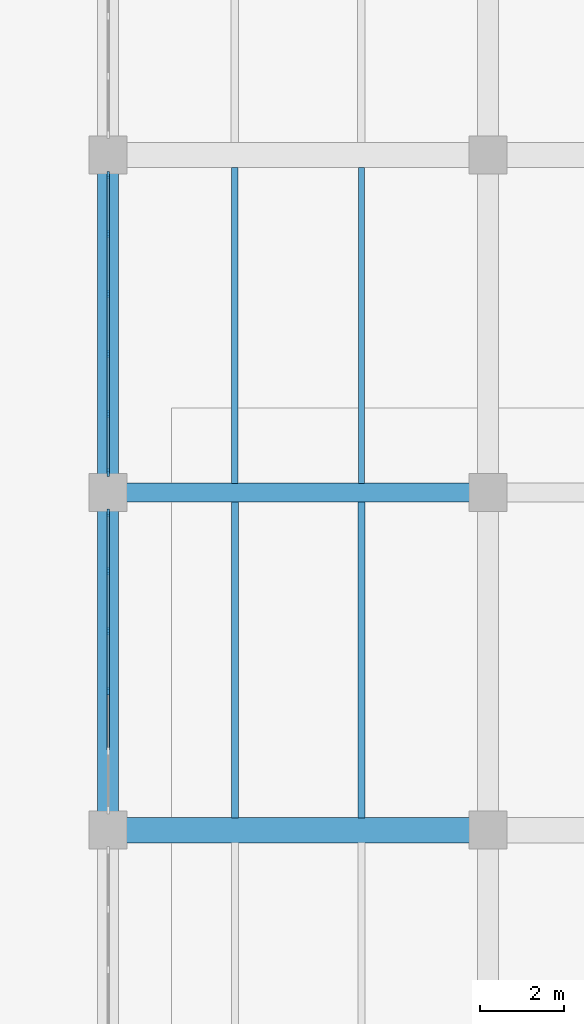
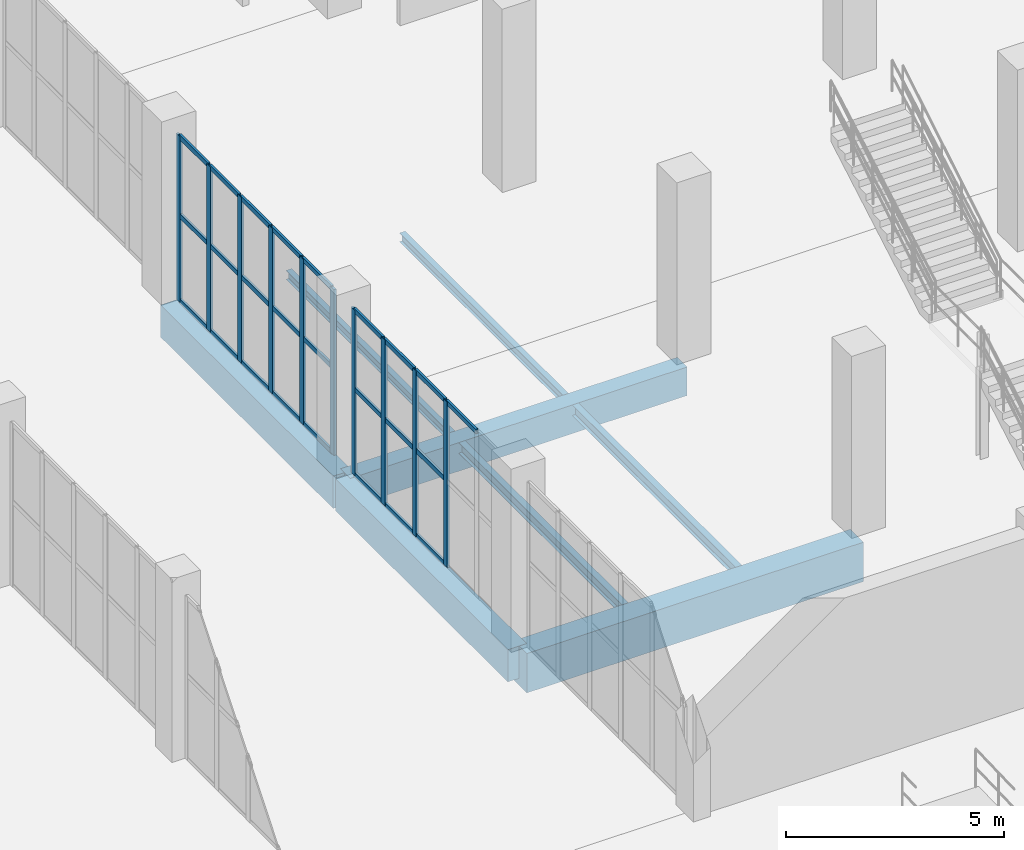
# One storey, part 32 of 103: 35 members, 8 beams, 2 elements without a shape of their own.
"""IFC4 building model written with IfcOpenShell, lengths in metres."""

from ifc_helpers import new_model, si_unit, direction, frame, origin, origin_2d, place, context, subcontext, project, spatial, rectangle, i_section, extrude, material, layer, layer_set, material_profile, profile_set, type_object, element, aggregate, save


model = new_model("IFC4")

# Units and contexts
model_context = context("Model", 3, precision=1e-05, world=origin(), true_north=direction((0.0, 1.0)))
body_context = subcontext(model_context, "Body", "Model", "MODEL_VIEW")
ifc_project = project(units=[si_unit("LENGTHUNIT", "METRE"), si_unit("AREAUNIT", "SQUARE_METRE"), si_unit("VOLUMEUNIT", "CUBIC_METRE"), si_unit("PLANEANGLEUNIT", "RADIAN"), si_unit("MASSUNIT", "GRAM", prefix="KILO")], contexts=[model_context])

# Site, building, storey
site_placement = place(None, origin())
site = spatial("IfcSite", under=ifc_project, at=site_placement, CompositionType="ELEMENT")
building_placement = place(site_placement, origin())
building = spatial("IfcBuilding", under=site, at=building_placement, Name="Marnock Terrace Opera House", CompositionType="ELEMENT")
storey_placement = place(building_placement, origin())
storey = spatial("IfcBuildingStorey", under=building, at=storey_placement, Name="L00", CompositionType="ELEMENT", Elevation=0.0)

# Beams
ifc_material_1 = material(Name="Concrete N40 (f'c = 40 MPa)", Category="concrete")
ifc_material_profile_1 = material_profile(ifc_material_1, rectangle(XDim=0.449951171875, YDim=0.800048828125, at=origin_2d()))
ifc_profile_set_1 = profile_set([ifc_material_profile_1], Name="Concrete N40 (f'c = 40 MPa)")
beam_type_1 = type_object("IfcBeamType", Name="BM-B1-RC450", PredefinedType="BEAM", material=ifc_profile_set_1)
beam_1_placement = place(storey_placement, frame((55.050048828125, 24.0, -0.699951171875), z_axis=(1.0, 0.0, 0.0), x_axis=(0.0, 1.0, 0.0)))
element("IfcBeam", 1, at=beam_1_placement, inside=storey, type_object=beam_type_1, Name="L00 girder (55.0..64.0, Y=24.0)", PredefinedType="BEAM", context=body_context, shape_type="SweptSolid", body=[
    extrude(rectangle(XDim=0.449951171875, YDim=0.800048828125, at=origin_2d()), origin(), (0.0, 0.0, 1.0), 8.89990234375),
])
ifc_material_profile_2 = material_profile(ifc_material_1, rectangle(XDim=0.5, YDim=0.89990234375, at=origin_2d()))
ifc_profile_set_2 = profile_set([ifc_material_profile_2], Name="Concrete N40 (f'c = 40 MPa)")
beam_type_2 = type_object("IfcBeamType", Name="BM-B1-RC500", PredefinedType="BEAM", material=ifc_profile_set_2)
for number, where, z_axis, x_axis, name in (
    (2, (55.0, 16.050048828125, -0.75), (0.0, 1.0, 0.0), (-1.0, 0.0, 0.0), "L00 girder (X=55.0, 16.0..24.0)"),
    (3, (55.0, 24.050048828125, -0.75), (0.0, 1.0, 0.0), (-1.0, 0.0, 0.0), "L00 girder (X=55.0, 24.0..32.0)"),
):
    element("IfcBeam", number, at=place(storey_placement, frame(where, z_axis=z_axis, x_axis=x_axis)), inside=storey, type_object=beam_type_2, Name=name, PredefinedType="BEAM", context=body_context, shape_type="SweptSolid", body=[
        extrude(rectangle(XDim=0.5, YDim=0.89990234375, at=origin_2d()), origin(), (0.0, 0.0, 1.0), 7.89990234375),
    ])
ifc_material_profile_3 = material_profile(ifc_material_1, rectangle(XDim=0.60009765625, YDim=1.10009765625, at=origin_2d()))
ifc_profile_set_3 = profile_set([ifc_material_profile_3], Name="Concrete N40 (f'c = 40 MPa)")
beam_type_3 = type_object("IfcBeamType", Name="BM-B1-RC600", PredefinedType="BEAM", material=ifc_profile_set_3)
beam_2_placement = place(storey_placement, frame((55.050048828125, 16.0, -0.85009765625), z_axis=(1.0, 0.0, 0.0), x_axis=(0.0, 1.0, 0.0)))
element("IfcBeam", 4, at=beam_2_placement, inside=storey, type_object=beam_type_3, Name="L00 girder (55.0..64.0, Y=16.0)", PredefinedType="BEAM", context=body_context, shape_type="SweptSolid", body=[
    extrude(rectangle(XDim=0.60009765625, YDim=1.10009765625, at=origin_2d()), origin(), (0.0, 0.0, 1.0), 8.89990234375),
])
ifc_material_2 = material(Name="Steel Grade 350 (AS/NZS 3679.1)", Category="steel")
ifc_material_profile_4 = material_profile(ifc_material_2, i_section(OverallWidth=0.14599609375, OverallDepth=0.256103515625, WebThickness=0.00634765625, FlangeThickness=0.010986328125, FilletRadius=0.0087890625, at=origin_2d()))
ifc_profile_set_4 = profile_set([ifc_material_profile_4], Name="Steel Grade 350 (AS/NZS 3679.1)")
beam_type_4 = type_object("IfcBeamType", Name="BM-JOIST-250", PredefinedType="JOIST", material=ifc_profile_set_4)
for number, where, z_axis, x_axis, name in (
    (5, (58.0, 24.219970703125, -0.427978515625), (0.0, 1.0, 0.0), (-1.0, 0.0, 0.0), "L00 secondary joist 6.3.1"),
    (6, (61.0, 24.219970703125, -0.427978515625), (0.0, 1.0, 0.0), (-1.0, 0.0, 0.0), "L00 secondary joist 6.3.2"),
):
    element("IfcBeam", number, at=place(storey_placement, frame(where, z_axis=z_axis, x_axis=x_axis)), inside=storey, type_object=beam_type_4, Name=name, PredefinedType="JOIST", context=body_context, shape_type="SweptSolid", body=[
        extrude(i_section(OverallWidth=0.14599609375, OverallDepth=0.256103515625, WebThickness=0.00634765625, FlangeThickness=0.010986328125, FilletRadius=0.0087890625, at=origin_2d()), origin(), (0.0, 0.0, 1.0), 7.485107421875),
    ])
ifc_material_profile_5 = material_profile(ifc_material_2, i_section(OverallWidth=0.1650390625, OverallDepth=0.3037109375, WebThickness=0.006103515625, FlangeThickness=0.01025390625, FilletRadius=0.011474609375, at=origin_2d()))
ifc_profile_set_5 = profile_set([ifc_material_profile_5], Name="Steel Grade 350 (AS/NZS 3679.1)")
beam_type_5 = type_object("IfcBeamType", Name="BM-JOIST-310B", PredefinedType="JOIST", material=ifc_profile_set_5)
for number, where, z_axis, x_axis, name in (
    (7, (58.0, 16.294921875, -0.451904296875), (0.0, 1.0, 0.0), (-1.0, 0.0, 0.0), "L00 secondary joist 6.2.1"),
    (8, (61.0, 16.294921875, -0.451904296875), (0.0, 1.0, 0.0), (-1.0, 0.0, 0.0), "L00 secondary joist 6.2.2"),
):
    element("IfcBeam", number, at=place(storey_placement, frame(where, z_axis=z_axis, x_axis=x_axis)), inside=storey, type_object=beam_type_5, Name=name, PredefinedType="JOIST", context=body_context, shape_type="SweptSolid", body=[
        extrude(i_section(OverallWidth=0.1650390625, OverallDepth=0.3037109375, WebThickness=0.006103515625, FlangeThickness=0.01025390625, FilletRadius=0.011474609375, at=origin_2d()), origin(), (0.0, 0.0, 1.0), 7.485107421875),
    ])

# Curtain wall, members
ifc_material_3 = material(Name="Anodised architectural bronze aluminium framing", Category="aluminium")
ifc_layer = layer(ifc_material_3, 0.159912109375)
ifc_layer_set = layer_set([ifc_layer], Name="Anodised architectural bronze aluminium framing")
curtain_wall_type = type_object("IfcCurtainWallType", Name="CW-FOYER-80x51", PredefinedType="NOTDEFINED", material=ifc_layer_set)
curtain_wall_1_placement = place(storey_placement, origin())
curtain_wall_1 = element("IfcCurtainWall", 9, at=curtain_wall_1_placement, inside=storey, type_object=curtain_wall_type, Name="L00 glazed Beaux-Arts colonnade curtain wall CW-V1W-L00-02", PredefinedType="NOTDEFINED")
ifc_material_profile_6 = material_profile(ifc_material_3, rectangle(XDim=0.06494140625, YDim=0.179931640625, at=origin_2d()))
ifc_profile_set_6 = profile_set([ifc_material_profile_6], Name="Anodised architectural bronze aluminium framing")
member_type_1 = type_object("IfcMemberType", Name="CWM-65x180", PredefinedType="MULLION", material=ifc_profile_set_6)
member_1_placement = place(storey_placement, frame((55.0, 19.289306640625, 0.0), z_axis=(0.0, 0.0, 1.0), x_axis=(-1.0, 0.0, 0.0)))
member_1 = element("IfcMember", 10, at=member_1_placement, type_object=member_type_1, Name="CW-73 mullion 3", PredefinedType="MULLION", context=body_context, shape_type="SweptSolid", body=[
    extrude(rectangle(XDim=0.06494140625, YDim=0.179931640625, at=origin_2d()), origin(), (0.0, 0.0, 1.0), 4.632568359375),
])
member_2_placement = place(storey_placement, frame((55.0, 20.710693359375, 0.0), z_axis=(0.0, 0.0, 1.0), x_axis=(-1.0, 0.0, 0.0)))
member_2 = element("IfcMember", 11, at=member_2_placement, type_object=member_type_1, Name="CW-73 mullion 4", PredefinedType="MULLION", context=body_context, shape_type="SweptSolid", body=[
    extrude(rectangle(XDim=0.06494140625, YDim=0.179931640625, at=origin_2d()), origin(), (0.0, 0.0, 1.0), 4.632568359375),
])
member_3_placement = place(storey_placement, frame((55.0, 22.13232421875, 0.0), z_axis=(0.0, 0.0, 1.0), x_axis=(-1.0, 0.0, 0.0)))
member_3 = element("IfcMember", 12, at=member_3_placement, type_object=member_type_1, Name="CW-73 mullion 5", PredefinedType="MULLION", context=body_context, shape_type="SweptSolid", body=[
    extrude(rectangle(XDim=0.06494140625, YDim=0.179931640625, at=origin_2d()), origin(), (0.0, 0.0, 1.0), 4.632568359375),
])
member_4_placement = place(storey_placement, frame((55.0, 23.52392578125, 0.0), z_axis=(0.0, 0.0, 1.0), x_axis=(-1.0, 0.0, 0.0)))
member_4 = element("IfcMember", 13, at=member_4_placement, type_object=member_type_1, Name="CW-73 mullion 6", PredefinedType="MULLION", context=body_context, shape_type="SweptSolid", body=[
    extrude(rectangle(XDim=0.06494140625, YDim=0.179931640625, at=origin_2d()), origin(), (0.0, 0.0, 1.0), 4.632568359375),
])

curtain_wall_2_placement = place(storey_placement, origin())
curtain_wall_2 = element("IfcCurtainWall", 14, at=curtain_wall_2_placement, inside=storey, type_object=curtain_wall_type, Name="L00 glazed Beaux-Arts colonnade curtain wall CW-V1W-L00-03", PredefinedType="NOTDEFINED")
member_5_placement = place(storey_placement, frame((55.0, 24.47607421875, 0.0), z_axis=(0.0, 0.0, 1.0), x_axis=(-1.0, 0.0, 0.0)))
member_5 = element("IfcMember", 15, at=member_5_placement, type_object=member_type_1, Name="CW-73 mullion 1", PredefinedType="MULLION", context=body_context, shape_type="SweptSolid", body=[
    extrude(rectangle(XDim=0.06494140625, YDim=0.179931640625, at=origin_2d()), origin(), (0.0, 0.0, 1.0), 4.632568359375),
])
member_6_placement = place(storey_placement, frame((55.0, 25.86767578125, 0.0), z_axis=(0.0, 0.0, 1.0), x_axis=(-1.0, 0.0, 0.0)))
member_6 = element("IfcMember", 16, at=member_6_placement, type_object=member_type_1, Name="CW-73 mullion 2", PredefinedType="MULLION", context=body_context, shape_type="SweptSolid", body=[
    extrude(rectangle(XDim=0.06494140625, YDim=0.179931640625, at=origin_2d()), origin(), (0.0, 0.0, 1.0), 4.632568359375),
])
member_7_placement = place(storey_placement, frame((55.0, 27.289306640625, 0.0), z_axis=(0.0, 0.0, 1.0), x_axis=(-1.0, 0.0, 0.0)))
member_7 = element("IfcMember", 17, at=member_7_placement, type_object=member_type_1, Name="CW-73 mullion 3", PredefinedType="MULLION", context=body_context, shape_type="SweptSolid", body=[
    extrude(rectangle(XDim=0.06494140625, YDim=0.179931640625, at=origin_2d()), origin(), (0.0, 0.0, 1.0), 4.632568359375),
])
member_8_placement = place(storey_placement, frame((55.0, 28.710693359375, 0.0), z_axis=(0.0, 0.0, 1.0), x_axis=(-1.0, 0.0, 0.0)))
member_8 = element("IfcMember", 18, at=member_8_placement, type_object=member_type_1, Name="CW-73 mullion 4", PredefinedType="MULLION", context=body_context, shape_type="SweptSolid", body=[
    extrude(rectangle(XDim=0.06494140625, YDim=0.179931640625, at=origin_2d()), origin(), (0.0, 0.0, 1.0), 4.632568359375),
])
member_9_placement = place(storey_placement, frame((55.0, 30.13232421875, 0.0), z_axis=(0.0, 0.0, 1.0), x_axis=(-1.0, 0.0, 0.0)))
member_9 = element("IfcMember", 19, at=member_9_placement, type_object=member_type_1, Name="CW-73 mullion 5", PredefinedType="MULLION", context=body_context, shape_type="SweptSolid", body=[
    extrude(rectangle(XDim=0.06494140625, YDim=0.179931640625, at=origin_2d()), origin(), (0.0, 0.0, 1.0), 4.632568359375),
])
member_10_placement = place(storey_placement, frame((55.0, 31.52392578125, 0.0), z_axis=(0.0, 0.0, 1.0), x_axis=(-1.0, 0.0, 0.0)))
member_10 = element("IfcMember", 20, at=member_10_placement, type_object=member_type_1, Name="CW-73 mullion 6", PredefinedType="MULLION", context=body_context, shape_type="SweptSolid", body=[
    extrude(rectangle(XDim=0.06494140625, YDim=0.179931640625, at=origin_2d()), origin(), (0.0, 0.0, 1.0), 4.632568359375),
])

# Member
ifc_material_profile_7 = material_profile(ifc_material_3, rectangle(XDim=0.06005859375, YDim=0.1298828125, at=origin_2d()))
ifc_profile_set_7 = profile_set([ifc_material_profile_7], Name="Anodised architectural bronze aluminium framing")
member_type_2 = type_object("IfcMemberType", Name="CWT-60x130", PredefinedType="USERDEFINED", material=ifc_profile_set_7)
member_11_placement = place(storey_placement, frame((55.0, 17.897705078125, 4.6025390625), z_axis=(0.0, 1.0, 0.0), x_axis=(-1.0, 0.0, 0.0)))
member_11 = element("IfcMember", 21, at=member_11_placement, type_object=member_type_2, Name="CW-73 transom 2.3", ObjectType="TRANSOM", PredefinedType="USERDEFINED", context=body_context, shape_type="SweptSolid", body=[
    extrude(rectangle(XDim=0.06005859375, YDim=0.1298828125, at=origin_2d()), origin(), (0.0, 0.0, 1.0), 1.361572265625),
])

member_12_placement = place(storey_placement, frame((55.0, 19.319091796875, 0.030029296875), z_axis=(0.0, 1.0, 0.0), x_axis=(-1.0, 0.0, 0.0)))
member_12 = element("IfcMember", 22, at=member_12_placement, type_object=member_type_2, Name="CW-73 transom 3.1", ObjectType="TRANSOM", PredefinedType="USERDEFINED", context=body_context, shape_type="SweptSolid", body=[
    extrude(rectangle(XDim=0.06005859375, YDim=0.1298828125, at=origin_2d()), origin(), (0.0, 0.0, 1.0), 1.36181640625),
])

member_13_placement = place(storey_placement, frame((55.0, 19.319091796875, 2.408935546875), z_axis=(0.0, 1.0, 0.0), x_axis=(-1.0, 0.0, 0.0)))
member_13 = element("IfcMember", 23, at=member_13_placement, type_object=member_type_2, Name="CW-73 transom 3.2", ObjectType="TRANSOM", PredefinedType="USERDEFINED", context=body_context, shape_type="SweptSolid", body=[
    extrude(rectangle(XDim=0.06005859375, YDim=0.1298828125, at=origin_2d()), origin(), (0.0, 0.0, 1.0), 1.36181640625),
])

member_14_placement = place(storey_placement, frame((55.0, 19.319091796875, 4.6025390625), z_axis=(0.0, 1.0, 0.0), x_axis=(-1.0, 0.0, 0.0)))
member_14 = element("IfcMember", 24, at=member_14_placement, type_object=member_type_2, Name="CW-73 transom 3.3", ObjectType="TRANSOM", PredefinedType="USERDEFINED", context=body_context, shape_type="SweptSolid", body=[
    extrude(rectangle(XDim=0.06005859375, YDim=0.1298828125, at=origin_2d()), origin(), (0.0, 0.0, 1.0), 1.36181640625),
])

member_15_placement = place(storey_placement, frame((55.0, 20.74072265625, 0.030029296875), z_axis=(0.0, 1.0, 0.0), x_axis=(-1.0, 0.0, 0.0)))
member_15 = element("IfcMember", 25, at=member_15_placement, type_object=member_type_2, Name="CW-73 transom 4.1", ObjectType="TRANSOM", PredefinedType="USERDEFINED", context=body_context, shape_type="SweptSolid", body=[
    extrude(rectangle(XDim=0.06005859375, YDim=0.1298828125, at=origin_2d()), origin(), (0.0, 0.0, 1.0), 1.361572265625),
])

member_16_placement = place(storey_placement, frame((55.0, 20.74072265625, 2.408935546875), z_axis=(0.0, 1.0, 0.0), x_axis=(-1.0, 0.0, 0.0)))
member_16 = element("IfcMember", 26, at=member_16_placement, type_object=member_type_2, Name="CW-73 transom 4.2", ObjectType="TRANSOM", PredefinedType="USERDEFINED", context=body_context, shape_type="SweptSolid", body=[
    extrude(rectangle(XDim=0.06005859375, YDim=0.1298828125, at=origin_2d()), origin(), (0.0, 0.0, 1.0), 1.361572265625),
])

member_17_placement = place(storey_placement, frame((55.0, 20.74072265625, 4.6025390625), z_axis=(0.0, 1.0, 0.0), x_axis=(-1.0, 0.0, 0.0)))
member_17 = element("IfcMember", 27, at=member_17_placement, type_object=member_type_2, Name="CW-73 transom 4.3", ObjectType="TRANSOM", PredefinedType="USERDEFINED", context=body_context, shape_type="SweptSolid", body=[
    extrude(rectangle(XDim=0.06005859375, YDim=0.1298828125, at=origin_2d()), origin(), (0.0, 0.0, 1.0), 1.361572265625),
])

member_18_placement = place(storey_placement, frame((55.0, 22.162353515625, 0.030029296875), z_axis=(0.0, 1.0, 0.0), x_axis=(-1.0, 0.0, 0.0)))
member_18 = element("IfcMember", 28, at=member_18_placement, type_object=member_type_2, Name="CW-73 transom 5.1", ObjectType="TRANSOM", PredefinedType="USERDEFINED", context=body_context, shape_type="SweptSolid", body=[
    extrude(rectangle(XDim=0.06005859375, YDim=0.1298828125, at=origin_2d()), origin(), (0.0, 0.0, 1.0), 1.33154296875),
])

member_19_placement = place(storey_placement, frame((55.0, 22.162353515625, 2.408935546875), z_axis=(0.0, 1.0, 0.0), x_axis=(-1.0, 0.0, 0.0)))
member_19 = element("IfcMember", 29, at=member_19_placement, type_object=member_type_2, Name="CW-73 transom 5.2", ObjectType="TRANSOM", PredefinedType="USERDEFINED", context=body_context, shape_type="SweptSolid", body=[
    extrude(rectangle(XDim=0.06005859375, YDim=0.1298828125, at=origin_2d()), origin(), (0.0, 0.0, 1.0), 1.33154296875),
])

member_20_placement = place(storey_placement, frame((55.0, 22.162353515625, 4.6025390625), z_axis=(0.0, 1.0, 0.0), x_axis=(-1.0, 0.0, 0.0)))
member_20 = element("IfcMember", 30, at=member_20_placement, type_object=member_type_2, Name="CW-73 transom 5.3", ObjectType="TRANSOM", PredefinedType="USERDEFINED", context=body_context, shape_type="SweptSolid", body=[
    extrude(rectangle(XDim=0.06005859375, YDim=0.1298828125, at=origin_2d()), origin(), (0.0, 0.0, 1.0), 1.33154296875),
])

aggregate(curtain_wall_1, [member_1, member_2, member_3, member_4, member_11, member_12, member_13, member_14, member_15, member_16, member_17, member_18, member_19, member_20])

member_21_placement = place(storey_placement, frame((55.0, 24.506103515625, 0.030029296875), z_axis=(0.0, 1.0, 0.0), x_axis=(-1.0, 0.0, 0.0)))
member_21 = element("IfcMember", 31, at=member_21_placement, type_object=member_type_2, Name="CW-73 transom 1.1", ObjectType="TRANSOM", PredefinedType="USERDEFINED", context=body_context, shape_type="SweptSolid", body=[
    extrude(rectangle(XDim=0.06005859375, YDim=0.1298828125, at=origin_2d()), origin(), (0.0, 0.0, 1.0), 1.33154296875),
])

member_22_placement = place(storey_placement, frame((55.0, 24.506103515625, 2.408935546875), z_axis=(0.0, 1.0, 0.0), x_axis=(-1.0, 0.0, 0.0)))
member_22 = element("IfcMember", 32, at=member_22_placement, type_object=member_type_2, Name="CW-73 transom 1.2", ObjectType="TRANSOM", PredefinedType="USERDEFINED", context=body_context, shape_type="SweptSolid", body=[
    extrude(rectangle(XDim=0.06005859375, YDim=0.1298828125, at=origin_2d()), origin(), (0.0, 0.0, 1.0), 1.33154296875),
])

member_23_placement = place(storey_placement, frame((55.0, 24.506103515625, 4.6025390625), z_axis=(0.0, 1.0, 0.0), x_axis=(-1.0, 0.0, 0.0)))
member_23 = element("IfcMember", 33, at=member_23_placement, type_object=member_type_2, Name="CW-73 transom 1.3", ObjectType="TRANSOM", PredefinedType="USERDEFINED", context=body_context, shape_type="SweptSolid", body=[
    extrude(rectangle(XDim=0.06005859375, YDim=0.1298828125, at=origin_2d()), origin(), (0.0, 0.0, 1.0), 1.33154296875),
])

member_24_placement = place(storey_placement, frame((55.0, 25.897705078125, 0.030029296875), z_axis=(0.0, 1.0, 0.0), x_axis=(-1.0, 0.0, 0.0)))
member_24 = element("IfcMember", 34, at=member_24_placement, type_object=member_type_2, Name="CW-73 transom 2.1", ObjectType="TRANSOM", PredefinedType="USERDEFINED", context=body_context, shape_type="SweptSolid", body=[
    extrude(rectangle(XDim=0.06005859375, YDim=0.1298828125, at=origin_2d()), origin(), (0.0, 0.0, 1.0), 1.361572265625),
])

member_25_placement = place(storey_placement, frame((55.0, 25.897705078125, 2.408935546875), z_axis=(0.0, 1.0, 0.0), x_axis=(-1.0, 0.0, 0.0)))
member_25 = element("IfcMember", 35, at=member_25_placement, type_object=member_type_2, Name="CW-73 transom 2.2", ObjectType="TRANSOM", PredefinedType="USERDEFINED", context=body_context, shape_type="SweptSolid", body=[
    extrude(rectangle(XDim=0.06005859375, YDim=0.1298828125, at=origin_2d()), origin(), (0.0, 0.0, 1.0), 1.361572265625),
])

member_26_placement = place(storey_placement, frame((55.0, 25.897705078125, 4.6025390625), z_axis=(0.0, 1.0, 0.0), x_axis=(-1.0, 0.0, 0.0)))
member_26 = element("IfcMember", 36, at=member_26_placement, type_object=member_type_2, Name="CW-73 transom 2.3", ObjectType="TRANSOM", PredefinedType="USERDEFINED", context=body_context, shape_type="SweptSolid", body=[
    extrude(rectangle(XDim=0.06005859375, YDim=0.1298828125, at=origin_2d()), origin(), (0.0, 0.0, 1.0), 1.361572265625),
])

member_27_placement = place(storey_placement, frame((55.0, 27.319091796875, 0.030029296875), z_axis=(0.0, 1.0, 0.0), x_axis=(-1.0, 0.0, 0.0)))
member_27 = element("IfcMember", 37, at=member_27_placement, type_object=member_type_2, Name="CW-73 transom 3.1", ObjectType="TRANSOM", PredefinedType="USERDEFINED", context=body_context, shape_type="SweptSolid", body=[
    extrude(rectangle(XDim=0.06005859375, YDim=0.1298828125, at=origin_2d()), origin(), (0.0, 0.0, 1.0), 1.36181640625),
])

member_28_placement = place(storey_placement, frame((55.0, 27.319091796875, 2.408935546875), z_axis=(0.0, 1.0, 0.0), x_axis=(-1.0, 0.0, 0.0)))
member_28 = element("IfcMember", 38, at=member_28_placement, type_object=member_type_2, Name="CW-73 transom 3.2", ObjectType="TRANSOM", PredefinedType="USERDEFINED", context=body_context, shape_type="SweptSolid", body=[
    extrude(rectangle(XDim=0.06005859375, YDim=0.1298828125, at=origin_2d()), origin(), (0.0, 0.0, 1.0), 1.36181640625),
])

member_29_placement = place(storey_placement, frame((55.0, 27.319091796875, 4.6025390625), z_axis=(0.0, 1.0, 0.0), x_axis=(-1.0, 0.0, 0.0)))
member_29 = element("IfcMember", 39, at=member_29_placement, type_object=member_type_2, Name="CW-73 transom 3.3", ObjectType="TRANSOM", PredefinedType="USERDEFINED", context=body_context, shape_type="SweptSolid", body=[
    extrude(rectangle(XDim=0.06005859375, YDim=0.1298828125, at=origin_2d()), origin(), (0.0, 0.0, 1.0), 1.36181640625),
])

member_30_placement = place(storey_placement, frame((55.0, 28.74072265625, 0.030029296875), z_axis=(0.0, 1.0, 0.0), x_axis=(-1.0, 0.0, 0.0)))
member_30 = element("IfcMember", 40, at=member_30_placement, type_object=member_type_2, Name="CW-73 transom 4.1", ObjectType="TRANSOM", PredefinedType="USERDEFINED", context=body_context, shape_type="SweptSolid", body=[
    extrude(rectangle(XDim=0.06005859375, YDim=0.1298828125, at=origin_2d()), origin(), (0.0, 0.0, 1.0), 1.361572265625),
])

member_31_placement = place(storey_placement, frame((55.0, 28.74072265625, 2.408935546875), z_axis=(0.0, 1.0, 0.0), x_axis=(-1.0, 0.0, 0.0)))
member_31 = element("IfcMember", 41, at=member_31_placement, type_object=member_type_2, Name="CW-73 transom 4.2", ObjectType="TRANSOM", PredefinedType="USERDEFINED", context=body_context, shape_type="SweptSolid", body=[
    extrude(rectangle(XDim=0.06005859375, YDim=0.1298828125, at=origin_2d()), origin(), (0.0, 0.0, 1.0), 1.361572265625),
])

member_32_placement = place(storey_placement, frame((55.0, 28.74072265625, 4.6025390625), z_axis=(0.0, 1.0, 0.0), x_axis=(-1.0, 0.0, 0.0)))
member_32 = element("IfcMember", 42, at=member_32_placement, type_object=member_type_2, Name="CW-73 transom 4.3", ObjectType="TRANSOM", PredefinedType="USERDEFINED", context=body_context, shape_type="SweptSolid", body=[
    extrude(rectangle(XDim=0.06005859375, YDim=0.1298828125, at=origin_2d()), origin(), (0.0, 0.0, 1.0), 1.361572265625),
])

member_33_placement = place(storey_placement, frame((55.0, 30.162353515625, 0.030029296875), z_axis=(0.0, 1.0, 0.0), x_axis=(-1.0, 0.0, 0.0)))
member_33 = element("IfcMember", 43, at=member_33_placement, type_object=member_type_2, Name="CW-73 transom 5.1", ObjectType="TRANSOM", PredefinedType="USERDEFINED", context=body_context, shape_type="SweptSolid", body=[
    extrude(rectangle(XDim=0.06005859375, YDim=0.1298828125, at=origin_2d()), origin(), (0.0, 0.0, 1.0), 1.33154296875),
])

member_34_placement = place(storey_placement, frame((55.0, 30.162353515625, 2.408935546875), z_axis=(0.0, 1.0, 0.0), x_axis=(-1.0, 0.0, 0.0)))
member_34 = element("IfcMember", 44, at=member_34_placement, type_object=member_type_2, Name="CW-73 transom 5.2", ObjectType="TRANSOM", PredefinedType="USERDEFINED", context=body_context, shape_type="SweptSolid", body=[
    extrude(rectangle(XDim=0.06005859375, YDim=0.1298828125, at=origin_2d()), origin(), (0.0, 0.0, 1.0), 1.33154296875),
])

member_35_placement = place(storey_placement, frame((55.0, 30.162353515625, 4.6025390625), z_axis=(0.0, 1.0, 0.0), x_axis=(-1.0, 0.0, 0.0)))
member_35 = element("IfcMember", 45, at=member_35_placement, type_object=member_type_2, Name="CW-73 transom 5.3", ObjectType="TRANSOM", PredefinedType="USERDEFINED", context=body_context, shape_type="SweptSolid", body=[
    extrude(rectangle(XDim=0.06005859375, YDim=0.1298828125, at=origin_2d()), origin(), (0.0, 0.0, 1.0), 1.33154296875),
])

aggregate(curtain_wall_2, [member_5, member_6, member_7, member_8, member_9, member_10, member_21, member_22, member_23, member_24, member_25, member_26, member_27, member_28, member_29, member_30, member_31, member_32, member_33, member_34, member_35])

save(model, "model.ifc")
